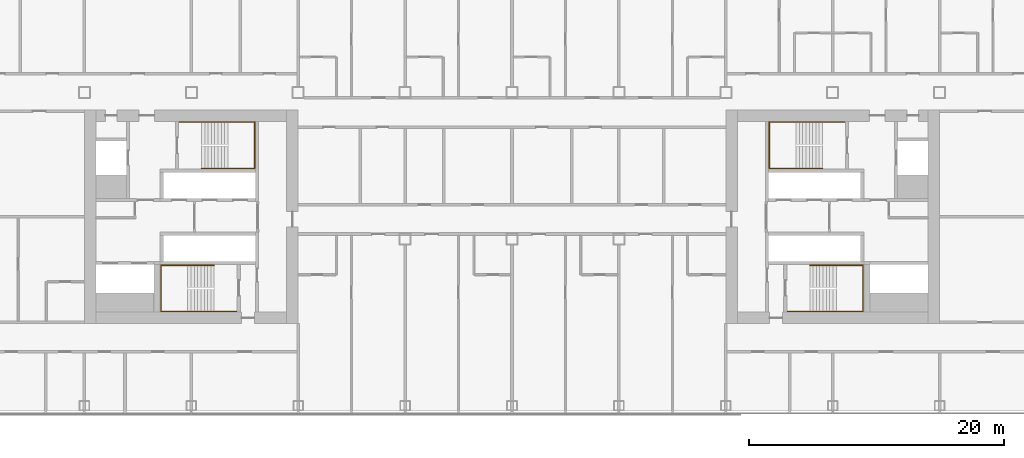
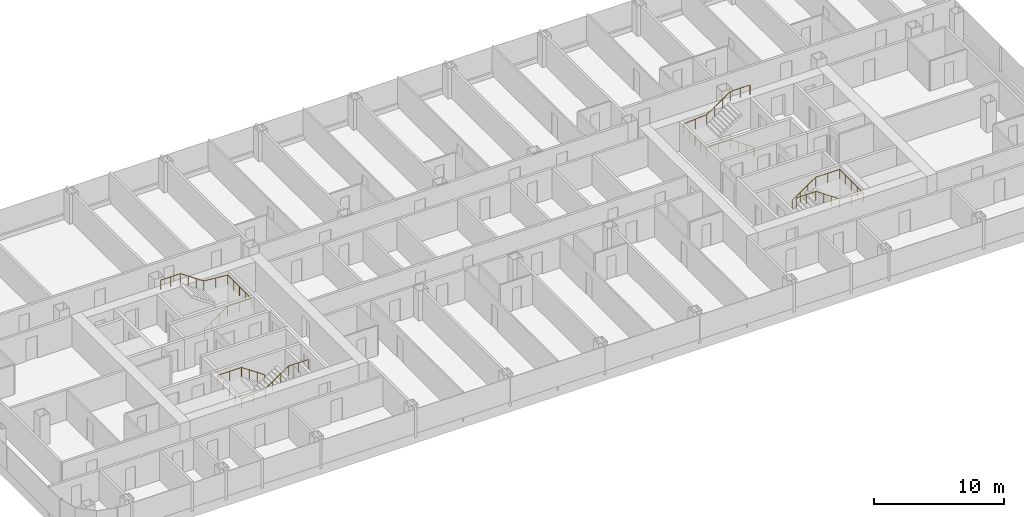
# One storey, part 29 of 29: 4 railings.
"""IFC4 building model written with IfcOpenShell, lengths in metres."""

from ifc_helpers import new_model, si_unit, direction, frame, origin, origin_2d, place, context, subcontext, project, spatial, circle, extrude, material, type_object, element, save


model = new_model("IFC4")

# Units and contexts
model_context = context("Model", 3, precision=1e-05, world=origin(), true_north=direction((0.0, 1.0)))
body_context = subcontext(model_context, "Body", "Model", "MODEL_VIEW")
ifc_project = project(units=[si_unit("LENGTHUNIT", "METRE"), si_unit("AREAUNIT", "SQUARE_METRE"), si_unit("VOLUMEUNIT", "CUBIC_METRE"), si_unit("PLANEANGLEUNIT", "RADIAN"), si_unit("MASSUNIT", "GRAM", prefix="KILO")], contexts=[model_context])

# Site, building, storey
site_placement = place(None, origin())
site = spatial("IfcSite", under=ifc_project, at=site_placement, CompositionType="ELEMENT")
building_placement = place(site_placement, origin())
building = spatial("IfcBuilding", under=site, at=building_placement, Name="Hakoniwa Tower and Hamabe Station Hall", CompositionType="ELEMENT")
storey_placement = place(building_placement, frame((0.0, 0.0, 104.199951171875)))
storey = spatial("IfcBuildingStorey", under=building, at=storey_placement, Name="L29", CompositionType="ELEMENT", Elevation=104.199951171875)

# Railings
ifc_material = material(Name="Stainless steel SUS304", Category="steel")
railing_type = type_object("IfcRailingType", Name="STAIR HANDRAIL 900", PredefinedType="HANDRAIL", material=ifc_material)
railing_1_placement = place(storey_placement, frame((-24.39990234375, 3.81005859375, 0.177734375)))
element("IfcRailing", 1, at=railing_1_placement, inside=storey, type_object=railing_type, Name="Handrail ST-1 L29 1", PredefinedType="HANDRAIL", context=body_context, shape_type="SweptSolid", body=[
    extrude(circle(Radius=0.02392578125, at=origin_2d()), frame((0.0, 0.0, 0.8759765625), z_axis=(0.825433201882, 0.0, 0.564499804456), x_axis=(0.0, 1.0, 0.0)), (0.0, 0.0, 1.0), 2.519775390625),
    extrude(circle(Radius=0.02392578125, at=origin_2d()), frame((2.079833984375, 0.0, 2.29833984375), z_axis=(1.0, 0.0, 0.0), x_axis=(0.0, 1.0, 0.0)), (0.0, 0.0, 1.0), 2.110107421875),
    extrude(circle(Radius=0.02392578125, at=origin_2d()), frame((4.18994140625, 0.0, 2.29833984375), z_axis=(0.0, 1.0, 0.0), x_axis=(-1.0, 0.0, 0.0)), (0.0, 0.0, 1.0), 3.6298828125),
    extrude(circle(Radius=0.02392578125, at=origin_2d()), frame((4.18994140625, 3.6298828125, 2.29833984375), z_axis=(-0.996471417081, 0.0, 0.083932800143), x_axis=(0.0, -1.0, 0.0)), (0.0, 0.0, 1.0), 2.11767578125),
    extrude(circle(Radius=0.02392578125, at=origin_2d()), frame((2.079833984375, 3.6298828125, 2.47607421875), z_axis=(-0.825478349766, 0.0, 0.564433781827), x_axis=(0.0, -1.0, 0.0)), (0.0, 0.0, 1.0), 2.51953125),
    extrude(circle(Radius=0.02392578125, at=origin_2d()), frame((0.0, 3.6298828125, 3.89794921875), z_axis=(-1.0, 0.0, 0.0), x_axis=(0.0, -1.0, 0.0)), (0.0, 0.0, 1.0), 1.739990234375),
    extrude(circle(Radius=0.02099609375, at=origin_2d()), origin(), (0.0, 0.0, 1.0), 0.851806640625),
    extrude(circle(Radius=0.02099609375, at=origin_2d()), frame((0.693359375, 0.0, 0.47412109375)), (0.0, 0.0, 1.0), 0.851806640625),
    extrude(circle(Radius=0.02099609375, at=origin_2d()), frame((1.386474609375, 0.0, 0.9482421875)), (0.0, 0.0, 1.0), 0.851806640625),
    extrude(circle(Radius=0.02099609375, at=origin_2d()), frame((2.079833984375, 0.0, 1.42236328125)), (0.0, 0.0, 1.0), 0.851806640625),
    extrude(circle(Radius=0.02099609375, at=origin_2d()), frame((3.134765625, 0.0, 1.42236328125)), (0.0, 0.0, 1.0), 0.851806640625),
    extrude(circle(Radius=0.02099609375, at=origin_2d()), frame((4.18994140625, 0.0, 1.42236328125)), (0.0, 0.0, 1.0), 0.851806640625),
    extrude(circle(Radius=0.02099609375, at=origin_2d()), frame((4.18994140625, 0.907470703125, 1.42236328125)), (0.0, 0.0, 1.0), 0.851806640625),
    extrude(circle(Radius=0.02099609375, at=origin_2d()), frame((4.18994140625, 1.81494140625, 1.42236328125)), (0.0, 0.0, 1.0), 0.851806640625),
    extrude(circle(Radius=0.02099609375, at=origin_2d()), frame((4.18994140625, 2.722412109375, 1.42236328125)), (0.0, 0.0, 1.0), 0.851806640625),
    extrude(circle(Radius=0.02099609375, at=origin_2d()), frame((4.18994140625, 3.6298828125, 1.42236328125)), (0.0, 0.0, 1.0), 0.851806640625),
    extrude(circle(Radius=0.02099609375, at=origin_2d()), frame((3.134765625, 3.6298828125, 1.51123046875)), (0.0, 0.0, 1.0), 0.851806640625),
    extrude(circle(Radius=0.02099609375, at=origin_2d()), frame((2.079833984375, 3.6298828125, 1.60009765625)), (0.0, 0.0, 1.0), 0.851806640625),
    extrude(circle(Radius=0.02099609375, at=origin_2d()), frame((1.386474609375, 3.6298828125, 2.07421875)), (0.0, 0.0, 1.0), 0.851806640625),
    extrude(circle(Radius=0.02099609375, at=origin_2d()), frame((0.693359375, 3.6298828125, 2.548095703125)), (0.0, 0.0, 1.0), 0.851806640625),
    extrude(circle(Radius=0.02099609375, at=origin_2d()), frame((0.0, 3.6298828125, 3.022216796875)), (0.0, 0.0, 1.0), 0.851806640625),
    extrude(circle(Radius=0.02099609375, at=origin_2d()), frame((-0.8701171875, 3.6298828125, 3.022216796875)), (0.0, 0.0, 1.0), 0.851806640625),
    extrude(circle(Radius=0.02099609375, at=origin_2d()), frame((-1.739990234375, 3.6298828125, 3.022216796875)), (0.0, 0.0, 1.0), 0.851806640625),
])
railing_2_placement = place(storey_placement, frame((-23.39990234375, -3.81005859375, 0.177734375)))
element("IfcRailing", 2, at=railing_2_placement, inside=storey, type_object=railing_type, Name="Handrail ST-2 L29 1", PredefinedType="HANDRAIL", context=body_context, shape_type="SweptSolid", body=[
    extrude(circle(Radius=0.02392578125, at=origin_2d()), frame((0.0, 0.0, 0.8759765625), z_axis=(-0.825464074169, 0.0, 0.564454659168), x_axis=(0.0, -1.0, 0.0)), (0.0, 0.0, 1.0), 2.519775390625),
    extrude(circle(Radius=0.02392578125, at=origin_2d()), frame((-2.080078125, 0.0, 2.29833984375), z_axis=(-1.0, 0.0, 0.0), x_axis=(0.0, -1.0, 0.0)), (0.0, 0.0, 1.0), 2.110107421875),
    extrude(circle(Radius=0.02392578125, at=origin_2d()), frame((-4.190185546875, 0.0, 2.29833984375), z_axis=(0.0, -1.0, 0.0), x_axis=(1.0, 0.0, 0.0)), (0.0, 0.0, 1.0), 3.6298828125),
    extrude(circle(Radius=0.02392578125, at=origin_2d()), frame((-4.190185546875, -3.6298828125, 2.29833984375), z_axis=(0.996471417081, 0.0, 0.083932800143), x_axis=(0.0, 1.0, 0.0)), (0.0, 0.0, 1.0), 2.11767578125),
    extrude(circle(Radius=0.02392578125, at=origin_2d()), frame((-2.080078125, -3.6298828125, 2.47607421875), z_axis=(0.82550921652, 0.0, 0.564388636881), x_axis=(0.0, 1.0, 0.0)), (0.0, 0.0, 1.0), 2.519775390625),
    extrude(circle(Radius=0.02392578125, at=origin_2d()), frame((0.0, -3.6298828125, 3.89794921875), z_axis=(1.0, 0.0, 0.0), x_axis=(0.0, 1.0, 0.0)), (0.0, 0.0, 1.0), 1.739990234375),
    extrude(circle(Radius=0.02099609375, at=origin_2d()), origin(), (0.0, 0.0, 1.0), 0.851806640625),
    extrude(circle(Radius=0.02099609375, at=origin_2d()), frame((-0.693359375, 0.0, 0.47412109375)), (0.0, 0.0, 1.0), 0.851806640625),
    extrude(circle(Radius=0.02099609375, at=origin_2d()), frame((-1.38671875, 0.0, 0.9482421875)), (0.0, 0.0, 1.0), 0.851806640625),
    extrude(circle(Radius=0.02099609375, at=origin_2d()), frame((-2.080078125, 0.0, 1.42236328125)), (0.0, 0.0, 1.0), 0.851806640625),
    extrude(circle(Radius=0.02099609375, at=origin_2d()), frame((-3.13525390625, 0.0, 1.42236328125)), (0.0, 0.0, 1.0), 0.851806640625),
    extrude(circle(Radius=0.02099609375, at=origin_2d()), frame((-4.190185546875, 0.0, 1.42236328125)), (0.0, 0.0, 1.0), 0.851806640625),
    extrude(circle(Radius=0.02099609375, at=origin_2d()), frame((-4.190185546875, -0.907470703125, 1.42236328125)), (0.0, 0.0, 1.0), 0.851806640625),
    extrude(circle(Radius=0.02099609375, at=origin_2d()), frame((-4.190185546875, -1.81494140625, 1.42236328125)), (0.0, 0.0, 1.0), 0.851806640625),
    extrude(circle(Radius=0.02099609375, at=origin_2d()), frame((-4.190185546875, -2.722412109375, 1.42236328125)), (0.0, 0.0, 1.0), 0.851806640625),
    extrude(circle(Radius=0.02099609375, at=origin_2d()), frame((-4.190185546875, -3.6298828125, 1.42236328125)), (0.0, 0.0, 1.0), 0.851806640625),
    extrude(circle(Radius=0.02099609375, at=origin_2d()), frame((-3.13525390625, -3.6298828125, 1.51123046875)), (0.0, 0.0, 1.0), 0.851806640625),
    extrude(circle(Radius=0.02099609375, at=origin_2d()), frame((-2.080078125, -3.6298828125, 1.60009765625)), (0.0, 0.0, 1.0), 0.851806640625),
    extrude(circle(Radius=0.02099609375, at=origin_2d()), frame((-1.38671875, -3.6298828125, 2.07421875)), (0.0, 0.0, 1.0), 0.851806640625),
    extrude(circle(Radius=0.02099609375, at=origin_2d()), frame((-0.693359375, -3.6298828125, 2.548095703125)), (0.0, 0.0, 1.0), 0.851806640625),
    extrude(circle(Radius=0.02099609375, at=origin_2d()), frame((0.0, -3.6298828125, 3.022216796875)), (0.0, 0.0, 1.0), 0.851806640625),
    extrude(circle(Radius=0.02099609375, at=origin_2d()), frame((0.8701171875, -3.6298828125, 3.022216796875)), (0.0, 0.0, 1.0), 0.851806640625),
    extrude(circle(Radius=0.02099609375, at=origin_2d()), frame((1.739990234375, -3.6298828125, 3.022216796875)), (0.0, 0.0, 1.0), 0.851806640625),
])
railing_3_placement = place(storey_placement, frame((24.39990234375, 3.81005859375, 0.177734375)))
element("IfcRailing", 3, at=railing_3_placement, inside=storey, type_object=railing_type, Name="Handrail ST-3 L29 1", PredefinedType="HANDRAIL", context=body_context, shape_type="SweptSolid", body=[
    extrude(circle(Radius=0.02392578125, at=origin_2d()), frame((0.0, 0.0, 0.8759765625), z_axis=(-0.825433201882, 0.0, 0.564499804456), x_axis=(0.0, -1.0, 0.0)), (0.0, 0.0, 1.0), 2.519775390625),
    extrude(circle(Radius=0.02392578125, at=origin_2d()), frame((-2.079833984375, 0.0, 2.29833984375), z_axis=(-1.0, 0.0, 0.0), x_axis=(0.0, -1.0, 0.0)), (0.0, 0.0, 1.0), 2.110107421875),
    extrude(circle(Radius=0.02392578125, at=origin_2d()), frame((-4.18994140625, 0.0, 2.29833984375), z_axis=(0.0, 1.0, 0.0), x_axis=(-1.0, 0.0, 0.0)), (0.0, 0.0, 1.0), 3.6298828125),
    extrude(circle(Radius=0.02392578125, at=origin_2d()), frame((-4.18994140625, 3.6298828125, 2.29833984375), z_axis=(0.996471417081, 0.0, 0.083932800143), x_axis=(0.0, 1.0, 0.0)), (0.0, 0.0, 1.0), 2.11767578125),
    extrude(circle(Radius=0.02392578125, at=origin_2d()), frame((-2.079833984375, 3.6298828125, 2.47607421875), z_axis=(0.825478349766, 0.0, 0.564433781827), x_axis=(0.0, 1.0, 0.0)), (0.0, 0.0, 1.0), 2.51953125),
    extrude(circle(Radius=0.02392578125, at=origin_2d()), frame((0.0, 3.6298828125, 3.89794921875), z_axis=(1.0, 0.0, 0.0), x_axis=(0.0, 1.0, 0.0)), (0.0, 0.0, 1.0), 1.739990234375),
    extrude(circle(Radius=0.02099609375, at=origin_2d()), origin(), (0.0, 0.0, 1.0), 0.851806640625),
    extrude(circle(Radius=0.02099609375, at=origin_2d()), frame((-0.693359375, 0.0, 0.47412109375)), (0.0, 0.0, 1.0), 0.851806640625),
    extrude(circle(Radius=0.02099609375, at=origin_2d()), frame((-1.386474609375, 0.0, 0.9482421875)), (0.0, 0.0, 1.0), 0.851806640625),
    extrude(circle(Radius=0.02099609375, at=origin_2d()), frame((-2.079833984375, 0.0, 1.42236328125)), (0.0, 0.0, 1.0), 0.851806640625),
    extrude(circle(Radius=0.02099609375, at=origin_2d()), frame((-3.134765625, 0.0, 1.42236328125)), (0.0, 0.0, 1.0), 0.851806640625),
    extrude(circle(Radius=0.02099609375, at=origin_2d()), frame((-4.18994140625, 0.0, 1.42236328125)), (0.0, 0.0, 1.0), 0.851806640625),
    extrude(circle(Radius=0.02099609375, at=origin_2d()), frame((-4.18994140625, 0.907470703125, 1.42236328125)), (0.0, 0.0, 1.0), 0.851806640625),
    extrude(circle(Radius=0.02099609375, at=origin_2d()), frame((-4.18994140625, 1.81494140625, 1.42236328125)), (0.0, 0.0, 1.0), 0.851806640625),
    extrude(circle(Radius=0.02099609375, at=origin_2d()), frame((-4.18994140625, 2.722412109375, 1.42236328125)), (0.0, 0.0, 1.0), 0.851806640625),
    extrude(circle(Radius=0.02099609375, at=origin_2d()), frame((-4.18994140625, 3.6298828125, 1.42236328125)), (0.0, 0.0, 1.0), 0.851806640625),
    extrude(circle(Radius=0.02099609375, at=origin_2d()), frame((-3.134765625, 3.6298828125, 1.51123046875)), (0.0, 0.0, 1.0), 0.851806640625),
    extrude(circle(Radius=0.02099609375, at=origin_2d()), frame((-2.079833984375, 3.6298828125, 1.60009765625)), (0.0, 0.0, 1.0), 0.851806640625),
    extrude(circle(Radius=0.02099609375, at=origin_2d()), frame((-1.386474609375, 3.6298828125, 2.07421875)), (0.0, 0.0, 1.0), 0.851806640625),
    extrude(circle(Radius=0.02099609375, at=origin_2d()), frame((-0.693359375, 3.6298828125, 2.548095703125)), (0.0, 0.0, 1.0), 0.851806640625),
    extrude(circle(Radius=0.02099609375, at=origin_2d()), frame((0.0, 3.6298828125, 3.022216796875)), (0.0, 0.0, 1.0), 0.851806640625),
    extrude(circle(Radius=0.02099609375, at=origin_2d()), frame((0.8701171875, 3.6298828125, 3.022216796875)), (0.0, 0.0, 1.0), 0.851806640625),
    extrude(circle(Radius=0.02099609375, at=origin_2d()), frame((1.739990234375, 3.6298828125, 3.022216796875)), (0.0, 0.0, 1.0), 0.851806640625),
])
railing_4_placement = place(storey_placement, frame((23.39990234375, -3.81005859375, 0.177734375)))
element("IfcRailing", 4, at=railing_4_placement, inside=storey, type_object=railing_type, Name="Handrail ST-4 L29 1", PredefinedType="HANDRAIL", context=body_context, shape_type="SweptSolid", body=[
    extrude(circle(Radius=0.02392578125, at=origin_2d()), frame((0.0, 0.0, 0.8759765625), z_axis=(0.825464074169, 0.0, 0.564454659168), x_axis=(0.0, 1.0, 0.0)), (0.0, 0.0, 1.0), 2.519775390625),
    extrude(circle(Radius=0.02392578125, at=origin_2d()), frame((2.080078125, 0.0, 2.29833984375), z_axis=(1.0, 0.0, 0.0), x_axis=(0.0, 1.0, 0.0)), (0.0, 0.0, 1.0), 2.110107421875),
    extrude(circle(Radius=0.02392578125, at=origin_2d()), frame((4.190185546875, 0.0, 2.29833984375), z_axis=(0.0, -1.0, 0.0), x_axis=(1.0, 0.0, 0.0)), (0.0, 0.0, 1.0), 3.6298828125),
    extrude(circle(Radius=0.02392578125, at=origin_2d()), frame((4.190185546875, -3.6298828125, 2.29833984375), z_axis=(-0.996471417081, 0.0, 0.083932800143), x_axis=(0.0, -1.0, 0.0)), (0.0, 0.0, 1.0), 2.11767578125),
    extrude(circle(Radius=0.02392578125, at=origin_2d()), frame((2.080078125, -3.6298828125, 2.47607421875), z_axis=(-0.82550921652, 0.0, 0.564388636881), x_axis=(0.0, -1.0, 0.0)), (0.0, 0.0, 1.0), 2.519775390625),
    extrude(circle(Radius=0.02392578125, at=origin_2d()), frame((0.0, -3.6298828125, 3.89794921875), z_axis=(-1.0, 0.0, 0.0), x_axis=(0.0, -1.0, 0.0)), (0.0, 0.0, 1.0), 1.739990234375),
    extrude(circle(Radius=0.02099609375, at=origin_2d()), origin(), (0.0, 0.0, 1.0), 0.851806640625),
    extrude(circle(Radius=0.02099609375, at=origin_2d()), frame((0.693359375, 0.0, 0.47412109375)), (0.0, 0.0, 1.0), 0.851806640625),
    extrude(circle(Radius=0.02099609375, at=origin_2d()), frame((1.38671875, 0.0, 0.9482421875)), (0.0, 0.0, 1.0), 0.851806640625),
    extrude(circle(Radius=0.02099609375, at=origin_2d()), frame((2.080078125, 0.0, 1.42236328125)), (0.0, 0.0, 1.0), 0.851806640625),
    extrude(circle(Radius=0.02099609375, at=origin_2d()), frame((3.13525390625, 0.0, 1.42236328125)), (0.0, 0.0, 1.0), 0.851806640625),
    extrude(circle(Radius=0.02099609375, at=origin_2d()), frame((4.190185546875, 0.0, 1.42236328125)), (0.0, 0.0, 1.0), 0.851806640625),
    extrude(circle(Radius=0.02099609375, at=origin_2d()), frame((4.190185546875, -0.907470703125, 1.42236328125)), (0.0, 0.0, 1.0), 0.851806640625),
    extrude(circle(Radius=0.02099609375, at=origin_2d()), frame((4.190185546875, -1.81494140625, 1.42236328125)), (0.0, 0.0, 1.0), 0.851806640625),
    extrude(circle(Radius=0.02099609375, at=origin_2d()), frame((4.190185546875, -2.722412109375, 1.42236328125)), (0.0, 0.0, 1.0), 0.851806640625),
    extrude(circle(Radius=0.02099609375, at=origin_2d()), frame((4.190185546875, -3.6298828125, 1.42236328125)), (0.0, 0.0, 1.0), 0.851806640625),
    extrude(circle(Radius=0.02099609375, at=origin_2d()), frame((3.13525390625, -3.6298828125, 1.51123046875)), (0.0, 0.0, 1.0), 0.851806640625),
    extrude(circle(Radius=0.02099609375, at=origin_2d()), frame((2.080078125, -3.6298828125, 1.60009765625)), (0.0, 0.0, 1.0), 0.851806640625),
    extrude(circle(Radius=0.02099609375, at=origin_2d()), frame((1.38671875, -3.6298828125, 2.07421875)), (0.0, 0.0, 1.0), 0.851806640625),
    extrude(circle(Radius=0.02099609375, at=origin_2d()), frame((0.693359375, -3.6298828125, 2.548095703125)), (0.0, 0.0, 1.0), 0.851806640625),
    extrude(circle(Radius=0.02099609375, at=origin_2d()), frame((0.0, -3.6298828125, 3.022216796875)), (0.0, 0.0, 1.0), 0.851806640625),
    extrude(circle(Radius=0.02099609375, at=origin_2d()), frame((-0.8701171875, -3.6298828125, 3.022216796875)), (0.0, 0.0, 1.0), 0.851806640625),
    extrude(circle(Radius=0.02099609375, at=origin_2d()), frame((-1.739990234375, -3.6298828125, 3.022216796875)), (0.0, 0.0, 1.0), 0.851806640625),
])

save(model, "model.ifc")
